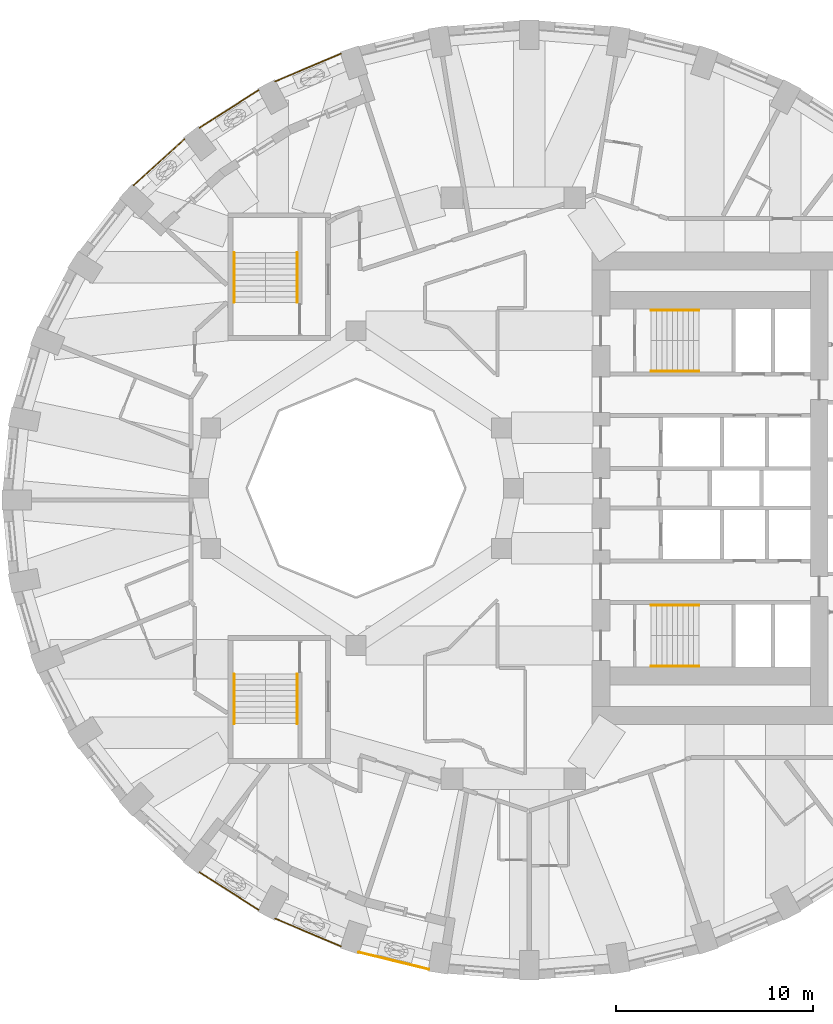
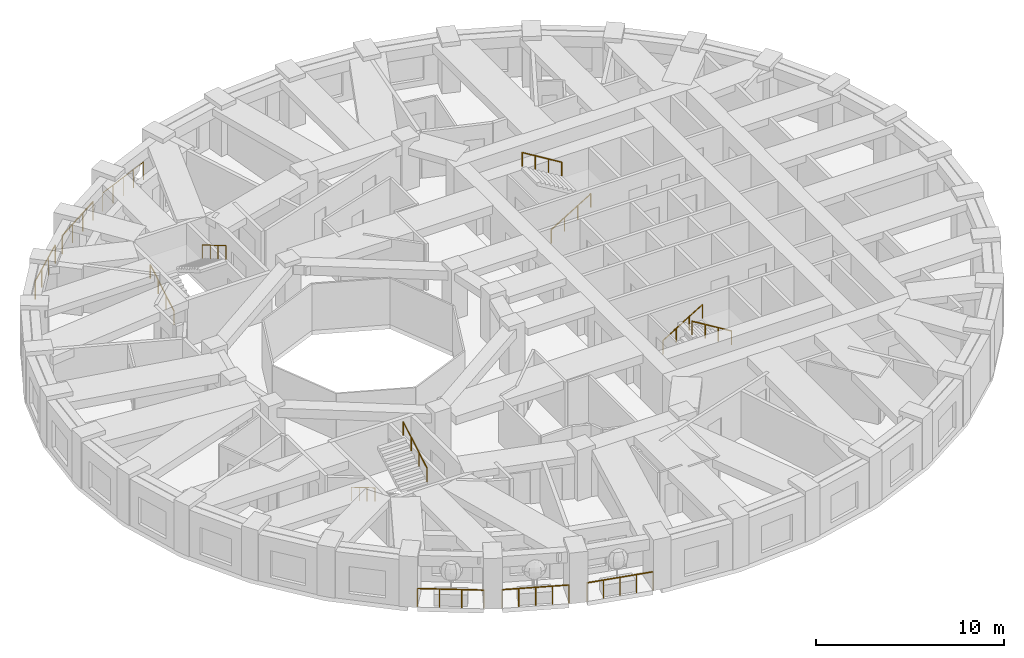
# One storey, part 10 of 12: 14 railings.
"""IFC4 building model written with IfcOpenShell, lengths in metres."""

from ifc_helpers import new_model, si_unit, direction, frame, origin, origin_2d, place, context, subcontext, project, spatial, circle, extrude, material, type_object, element, save


model = new_model("IFC4")

# Units and contexts
model_context = context("Model", 3, precision=1e-05, world=origin(), true_north=direction((0.0, 1.0)))
body_context = subcontext(model_context, "Body", "Model", "MODEL_VIEW")
ifc_project = project(units=[si_unit("LENGTHUNIT", "METRE"), si_unit("AREAUNIT", "SQUARE_METRE"), si_unit("VOLUMEUNIT", "CUBIC_METRE"), si_unit("PLANEANGLEUNIT", "RADIAN"), si_unit("MASSUNIT", "GRAM", prefix="KILO")], contexts=[model_context])

# Site, building, storey
site_placement = place(None, origin())
site = spatial("IfcSite", under=ifc_project, at=site_placement, CompositionType="ELEMENT")
building_placement = place(site_placement, origin())
building = spatial("IfcBuilding", under=site, at=building_placement, Name="Taillehof Tower", CompositionType="ELEMENT")
storey_placement = place(building_placement, frame((0.0, 0.0, 121.89990234375)))
storey = spatial("IfcBuildingStorey", under=building, at=storey_placement, Name="L34", CompositionType="ELEMENT", Elevation=121.89990234375)

# Railings
ifc_material_1 = material(Name="Stainless steel balustrade", Category="steel")
railing_type_1 = type_object("IfcRailingType", Name="Balcony guard 1200", PredefinedType="GUARDRAIL", material=ifc_material_1)
railing_1_placement = place(storey_placement, frame((-15.956787109375, -19.523681640625, 0.0)))
element("IfcRailing", 1, at=railing_1_placement, inside=storey, type_object=railing_type_1, Name="Balcony guard L34 bay 24", PredefinedType="GUARDRAIL", context=body_context, shape_type="SweptSolid", body=[
    extrude(circle(Radius=0.02392578125, at=origin_2d()), frame((0.0, 0.0, 1.17578125), z_axis=(0.843912711069, -0.536480508589, 0.0), x_axis=(0.536480508589, 0.843912711069, 0.0)), (0.0, 0.0, 1.0), 3.56005859375),
    extrude(circle(Radius=0.02099609375, at=origin_2d()), origin(), (0.0, 0.0, 1.0), 1.15185546875),
    extrude(circle(Radius=0.02099609375, at=origin_2d()), frame((1.00146484375, -0.63671875, 0.0)), (0.0, 0.0, 1.0), 1.15185546875),
    extrude(circle(Radius=0.02099609375, at=origin_2d()), frame((2.0029296875, -1.273193359375, 0.0)), (0.0, 0.0, 1.0), 1.15185546875),
    extrude(circle(Radius=0.02099609375, at=origin_2d()), frame((3.00439453125, -1.909912109375, 0.0)), (0.0, 0.0, 1.0), 1.15185546875),
])
railing_2_placement = place(storey_placement, frame((-12.102294921875, -21.8798828125, 0.0)))
element("IfcRailing", 2, at=railing_2_placement, inside=storey, type_object=railing_type_1, Name="Balcony guard L34 bay 25", PredefinedType="GUARDRAIL", context=body_context, shape_type="SweptSolid", body=[
    extrude(circle(Radius=0.02392578125, at=origin_2d()), frame((0.0, 0.0, 1.17578125), z_axis=(0.920860132176, -0.389893084024, 0.0), x_axis=(0.389893084024, 0.920860132176, 0.0)), (0.0, 0.0, 1.0), 3.61865234375),
    extrude(circle(Radius=0.02099609375, at=origin_2d()), origin(), (0.0, 0.0, 1.0), 1.15185546875),
    extrude(circle(Radius=0.02099609375, at=origin_2d()), frame((0.8330078125, -0.352783203125, 0.0)), (0.0, 0.0, 1.0), 1.15185546875),
    extrude(circle(Radius=0.02099609375, at=origin_2d()), frame((1.666015625, -0.70556640625, 0.0)), (0.0, 0.0, 1.0), 1.15185546875),
    extrude(circle(Radius=0.02099609375, at=origin_2d()), frame((2.499267578125, -1.05810546875, 0.0)), (0.0, 0.0, 1.0), 1.15185546875),
    extrude(circle(Radius=0.02099609375, at=origin_2d()), frame((3.332275390625, -1.410888671875, 0.0)), (0.0, 0.0, 1.0), 1.15185546875),
])
railing_3_placement = place(storey_placement, frame((-7.858642578125, -23.59228515625, 0.0)))
element("IfcRailing", 3, at=railing_3_placement, inside=storey, type_object=railing_type_1, Name="Balcony guard L34 bay 26", PredefinedType="GUARDRAIL", context=body_context, shape_type="SweptSolid", body=[
    extrude(circle(Radius=0.02392578125, at=origin_2d()), frame((0.0, 0.0, 1.17578125), z_axis=(0.97164897724, -0.23642813925, 0.0), x_axis=(0.23642813925, 0.97164897724, 0.0)), (0.0, 0.0, 1.0), 3.66162109375),
    extrude(circle(Radius=0.02099609375, at=origin_2d()), origin(), (0.0, 0.0, 1.0), 1.15185546875),
    extrude(circle(Radius=0.02099609375, at=origin_2d()), frame((0.889404296875, -0.21630859375, 0.0)), (0.0, 0.0, 1.0), 1.15185546875),
    extrude(circle(Radius=0.02099609375, at=origin_2d()), frame((1.77880859375, -0.432861328125, 0.0)), (0.0, 0.0, 1.0), 1.15185546875),
    extrude(circle(Radius=0.02099609375, at=origin_2d()), frame((2.66845703125, -0.6494140625, 0.0)), (0.0, 0.0, 1.0), 1.15185546875),
    extrude(circle(Radius=0.02099609375, at=origin_2d()), frame((3.557861328125, -0.86572265625, 0.0)), (0.0, 0.0, 1.0), 1.15185546875),
])
railing_4_placement = place(storey_placement, frame((-8.77001953125, 22.0908203125, 0.0)))
element("IfcRailing", 4, at=railing_4_placement, inside=storey, type_object=railing_type_1, Name="Balcony guard L34 bay 12", PredefinedType="GUARDRAIL", context=body_context, shape_type="SweptSolid", body=[
    extrude(circle(Radius=0.02392578125, at=origin_2d()), frame((0.0, 0.0, 1.17578125), z_axis=(-0.920860132176, -0.389893084024, 0.0), x_axis=(0.389893084024, -0.920860132176, 0.0)), (0.0, 0.0, 1.0), 3.61865234375),
    extrude(circle(Radius=0.02099609375, at=origin_2d()), origin(), (0.0, 0.0, 1.0), 1.15185546875),
    extrude(circle(Radius=0.02099609375, at=origin_2d()), frame((-0.8330078125, -0.352783203125, 0.0)), (0.0, 0.0, 1.0), 1.15185546875),
    extrude(circle(Radius=0.02099609375, at=origin_2d()), frame((-1.666015625, -0.70556640625, 0.0)), (0.0, 0.0, 1.0), 1.15185546875),
    extrude(circle(Radius=0.02099609375, at=origin_2d()), frame((-2.499267578125, -1.05810546875, 0.0)), (0.0, 0.0, 1.0), 1.15185546875),
    extrude(circle(Radius=0.02099609375, at=origin_2d()), frame((-3.332275390625, -1.410888671875, 0.0)), (0.0, 0.0, 1.0), 1.15185546875),
])
railing_5_placement = place(storey_placement, frame((-12.952392578125, 20.233642578125, 0.0)))
element("IfcRailing", 5, at=railing_5_placement, inside=storey, type_object=railing_type_1, Name="Balcony guard L34 bay 13", PredefinedType="GUARDRAIL", context=body_context, shape_type="SweptSolid", body=[
    extrude(circle(Radius=0.02392578125, at=origin_2d()), frame((0.0, 0.0, 1.17578125), z_axis=(-0.843881662908, -0.536529345896, 0.0), x_axis=(0.536529345896, -0.843881662908, 0.0)), (0.0, 0.0, 1.0), 3.560302734375),
    extrude(circle(Radius=0.02099609375, at=origin_2d()), origin(), (0.0, 0.0, 1.0), 1.15185546875),
    extrude(circle(Radius=0.02099609375, at=origin_2d()), frame((-1.00146484375, -0.63671875, 0.0)), (0.0, 0.0, 1.0), 1.15185546875),
    extrude(circle(Radius=0.02099609375, at=origin_2d()), frame((-2.0029296875, -1.2734375, 0.0)), (0.0, 0.0, 1.0), 1.15185546875),
    extrude(circle(Radius=0.02099609375, at=origin_2d()), frame((-3.00439453125, -1.91015625, 0.0)), (0.0, 0.0, 1.0), 1.15185546875),
])
railing_6_placement = place(storey_placement, frame((-16.719970703125, 17.7412109375, 0.0)))
element("IfcRailing", 6, at=railing_6_placement, inside=storey, type_object=railing_type_1, Name="Balcony guard L34 bay 14", PredefinedType="GUARDRAIL", context=body_context, shape_type="SweptSolid", body=[
    extrude(circle(Radius=0.02392578125, at=origin_2d()), frame((0.0, 0.0, 1.17578125), z_axis=(-0.740360582387, -0.672209943431, 0.0), x_axis=(0.672209943431, -0.740360582387, 0.0)), (0.0, 0.0, 1.0), 3.492919921875),
    extrude(circle(Radius=0.02099609375, at=origin_2d()), origin(), (0.0, 0.0, 1.0), 1.15185546875),
    extrude(circle(Radius=0.02099609375, at=origin_2d()), frame((-0.862060546875, -0.78271484375, 0.0)), (0.0, 0.0, 1.0), 1.15185546875),
    extrude(circle(Radius=0.02099609375, at=origin_2d()), frame((-1.723876953125, -1.565185546875, 0.0)), (0.0, 0.0, 1.0), 1.15185546875),
    extrude(circle(Radius=0.02099609375, at=origin_2d()), frame((-2.5859375, -2.347900390625, 0.0)), (0.0, 0.0, 1.0), 1.15185546875),
])
ifc_material_2 = material(Name="Stainless steel", Category="steel")
railing_type_2 = type_object("IfcRailingType", Name="Stair handrail 900", PredefinedType="HANDRAIL", material=ifc_material_2)
railing_7_placement = place(storey_placement, frame((7.0, 5.949951171875, 0.1650390625)))
element("IfcRailing", 7, at=railing_7_placement, inside=storey, type_object=railing_type_2, Name="Stair S1 handrail", PredefinedType="HANDRAIL", context=body_context, shape_type="SweptSolid", body=[
    extrude(circle(Radius=0.02392578125, at=origin_2d()), frame((0.0, 0.0, 0.8759765625), z_axis=(0.853258522278, 0.0, 0.521488153423), x_axis=(0.0, 1.0, 0.0)), (0.0, 0.0, 1.0), 2.847900390625),
    extrude(circle(Radius=0.02099609375, at=origin_2d()), origin(), (0.0, 0.0, 1.0), 0.851806640625),
    extrude(circle(Radius=0.02099609375, at=origin_2d()), frame((0.81005859375, 0.0, 0.4951171875)), (0.0, 0.0, 1.0), 0.851806640625),
    extrude(circle(Radius=0.02099609375, at=origin_2d()), frame((1.619873046875, 0.0, 0.989990234375)), (0.0, 0.0, 1.0), 0.851806640625),
    extrude(circle(Radius=0.02099609375, at=origin_2d()), frame((2.429931640625, 0.0, 1.485107421875)), (0.0, 0.0, 1.0), 0.851806640625),
])
railing_8_placement = place(storey_placement, frame((9.429931640625, 9.050048828125, 1.815185546875)))
element("IfcRailing", 8, at=railing_8_placement, inside=storey, type_object=railing_type_2, Name="Stair S1 handrail", PredefinedType="HANDRAIL", context=body_context, shape_type="SweptSolid", body=[
    extrude(circle(Radius=0.02392578125, at=origin_2d()), frame((0.0, 0.0, 0.8759765625), z_axis=(-0.853296667938, 0.0, 0.521425734392), x_axis=(0.0, -1.0, 0.0)), (0.0, 0.0, 1.0), 2.84765625),
    extrude(circle(Radius=0.02099609375, at=origin_2d()), origin(), (0.0, 0.0, 1.0), 0.851806640625),
    extrude(circle(Radius=0.02099609375, at=origin_2d()), frame((-0.81005859375, 0.0, 0.494873046875)), (0.0, 0.0, 1.0), 0.851806640625),
    extrude(circle(Radius=0.02099609375, at=origin_2d()), frame((-1.619873046875, 0.0, 0.989990234375)), (0.0, 0.0, 1.0), 0.851806640625),
    extrude(circle(Radius=0.02099609375, at=origin_2d()), frame((-2.429931640625, 0.0, 1.48486328125)), (0.0, 0.0, 1.0), 0.851806640625),
])
railing_9_placement = place(storey_placement, frame((7.0, -5.949951171875, 0.1650390625)))
element("IfcRailing", 9, at=railing_9_placement, inside=storey, type_object=railing_type_2, Name="Stair S2 handrail", PredefinedType="HANDRAIL", context=body_context, shape_type="SweptSolid", body=[
    extrude(circle(Radius=0.02392578125, at=origin_2d()), frame((0.0, 0.0, 0.8759765625), z_axis=(0.853258522278, 0.0, 0.521488153423), x_axis=(0.0, 1.0, 0.0)), (0.0, 0.0, 1.0), 2.847900390625),
    extrude(circle(Radius=0.02099609375, at=origin_2d()), origin(), (0.0, 0.0, 1.0), 0.851806640625),
    extrude(circle(Radius=0.02099609375, at=origin_2d()), frame((0.81005859375, 0.0, 0.4951171875)), (0.0, 0.0, 1.0), 0.851806640625),
    extrude(circle(Radius=0.02099609375, at=origin_2d()), frame((1.619873046875, 0.0, 0.989990234375)), (0.0, 0.0, 1.0), 0.851806640625),
    extrude(circle(Radius=0.02099609375, at=origin_2d()), frame((2.429931640625, 0.0, 1.485107421875)), (0.0, 0.0, 1.0), 0.851806640625),
])
railing_10_placement = place(storey_placement, frame((9.429931640625, -9.050048828125, 1.815185546875)))
element("IfcRailing", 10, at=railing_10_placement, inside=storey, type_object=railing_type_2, Name="Stair S2 handrail", PredefinedType="HANDRAIL", context=body_context, shape_type="SweptSolid", body=[
    extrude(circle(Radius=0.02392578125, at=origin_2d()), frame((0.0, 0.0, 0.8759765625), z_axis=(-0.853296667938, 0.0, 0.521425734392), x_axis=(0.0, -1.0, 0.0)), (0.0, 0.0, 1.0), 2.84765625),
    extrude(circle(Radius=0.02099609375, at=origin_2d()), origin(), (0.0, 0.0, 1.0), 0.851806640625),
    extrude(circle(Radius=0.02099609375, at=origin_2d()), frame((-0.81005859375, 0.0, 0.494873046875)), (0.0, 0.0, 1.0), 0.851806640625),
    extrude(circle(Radius=0.02099609375, at=origin_2d()), frame((-1.619873046875, 0.0, 0.989990234375)), (0.0, 0.0, 1.0), 0.851806640625),
    extrude(circle(Radius=0.02099609375, at=origin_2d()), frame((-2.429931640625, 0.0, 1.48486328125)), (0.0, 0.0, 1.0), 0.851806640625),
])
railing_11_placement = place(storey_placement, frame((-14.199951171875, 9.449951171875, 0.1650390625)))
element("IfcRailing", 11, at=railing_11_placement, inside=storey, type_object=railing_type_2, Name="Stair S3 handrail", PredefinedType="HANDRAIL", context=body_context, shape_type="SweptSolid", body=[
    extrude(circle(Radius=0.02392578125, at=origin_2d()), frame((0.0, 0.0, 0.8759765625), z_axis=(0.0, 0.86152411907, 0.507716645641), x_axis=(-1.0, 0.0, 0.0)), (0.0, 0.0, 1.0), 2.925048828125),
    extrude(circle(Radius=0.02099609375, at=origin_2d()), origin(), (0.0, 0.0, 1.0), 0.851806640625),
    extrude(circle(Radius=0.02099609375, at=origin_2d()), frame((0.0, 0.840087890625, 0.4951171875)), (0.0, 0.0, 1.0), 0.851806640625),
    extrude(circle(Radius=0.02099609375, at=origin_2d()), frame((0.0, 1.679931640625, 0.989990234375)), (0.0, 0.0, 1.0), 0.851806640625),
    extrude(circle(Radius=0.02099609375, at=origin_2d()), frame((0.0, 2.52001953125, 1.485107421875)), (0.0, 0.0, 1.0), 0.851806640625),
])
railing_12_placement = place(storey_placement, frame((-11.0, 11.969970703125, 1.815185546875)))
element("IfcRailing", 12, at=railing_12_placement, inside=storey, type_object=railing_type_2, Name="Stair S3 handrail", PredefinedType="HANDRAIL", context=body_context, shape_type="SweptSolid", body=[
    extrude(circle(Radius=0.02392578125, at=origin_2d()), frame((0.0, 0.0, 0.8759765625), z_axis=(0.0, -0.861560626758, 0.507654692109), x_axis=(1.0, 0.0, 0.0)), (0.0, 0.0, 1.0), 2.925048828125),
    extrude(circle(Radius=0.02099609375, at=origin_2d()), origin(), (0.0, 0.0, 1.0), 0.851806640625),
    extrude(circle(Radius=0.02099609375, at=origin_2d()), frame((0.0, -0.840087890625, 0.494873046875)), (0.0, 0.0, 1.0), 0.851806640625),
    extrude(circle(Radius=0.02099609375, at=origin_2d()), frame((0.0, -1.679931640625, 0.989990234375)), (0.0, 0.0, 1.0), 0.851806640625),
    extrude(circle(Radius=0.02099609375, at=origin_2d()), frame((0.0, -2.52001953125, 1.48486328125)), (0.0, 0.0, 1.0), 0.851806640625),
])
railing_13_placement = place(storey_placement, frame((-14.199951171875, -9.449951171875, 0.1650390625)))
element("IfcRailing", 13, at=railing_13_placement, inside=storey, type_object=railing_type_2, Name="Stair S4 handrail", PredefinedType="HANDRAIL", context=body_context, shape_type="SweptSolid", body=[
    extrude(circle(Radius=0.02392578125, at=origin_2d()), frame((0.0, 0.0, 0.8759765625), z_axis=(0.0, -0.86152411907, 0.507716645641), x_axis=(1.0, 0.0, 0.0)), (0.0, 0.0, 1.0), 2.925048828125),
    extrude(circle(Radius=0.02099609375, at=origin_2d()), origin(), (0.0, 0.0, 1.0), 0.851806640625),
    extrude(circle(Radius=0.02099609375, at=origin_2d()), frame((0.0, -0.840087890625, 0.4951171875)), (0.0, 0.0, 1.0), 0.851806640625),
    extrude(circle(Radius=0.02099609375, at=origin_2d()), frame((0.0, -1.679931640625, 0.989990234375)), (0.0, 0.0, 1.0), 0.851806640625),
    extrude(circle(Radius=0.02099609375, at=origin_2d()), frame((0.0, -2.52001953125, 1.485107421875)), (0.0, 0.0, 1.0), 0.851806640625),
])
railing_14_placement = place(storey_placement, frame((-11.0, -11.969970703125, 1.815185546875)))
element("IfcRailing", 14, at=railing_14_placement, inside=storey, type_object=railing_type_2, Name="Stair S4 handrail", PredefinedType="HANDRAIL", context=body_context, shape_type="SweptSolid", body=[
    extrude(circle(Radius=0.02392578125, at=origin_2d()), frame((0.0, 0.0, 0.8759765625), z_axis=(0.0, 0.861560626758, 0.507654692109), x_axis=(-1.0, 0.0, 0.0)), (0.0, 0.0, 1.0), 2.925048828125),
    extrude(circle(Radius=0.02099609375, at=origin_2d()), origin(), (0.0, 0.0, 1.0), 0.851806640625),
    extrude(circle(Radius=0.02099609375, at=origin_2d()), frame((0.0, 0.840087890625, 0.494873046875)), (0.0, 0.0, 1.0), 0.851806640625),
    extrude(circle(Radius=0.02099609375, at=origin_2d()), frame((0.0, 1.679931640625, 0.989990234375)), (0.0, 0.0, 1.0), 0.851806640625),
    extrude(circle(Radius=0.02099609375, at=origin_2d()), frame((0.0, 2.52001953125, 1.48486328125)), (0.0, 0.0, 1.0), 0.851806640625),
])

save(model, "model.ifc")
